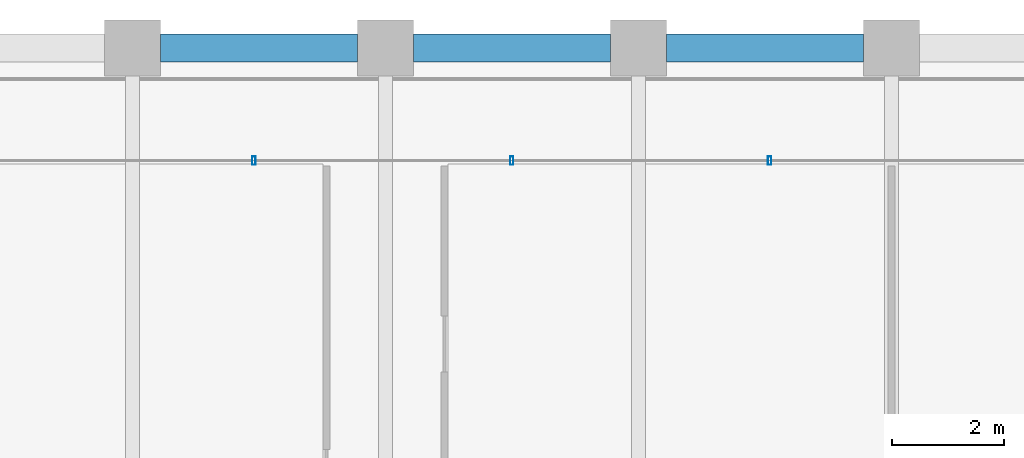
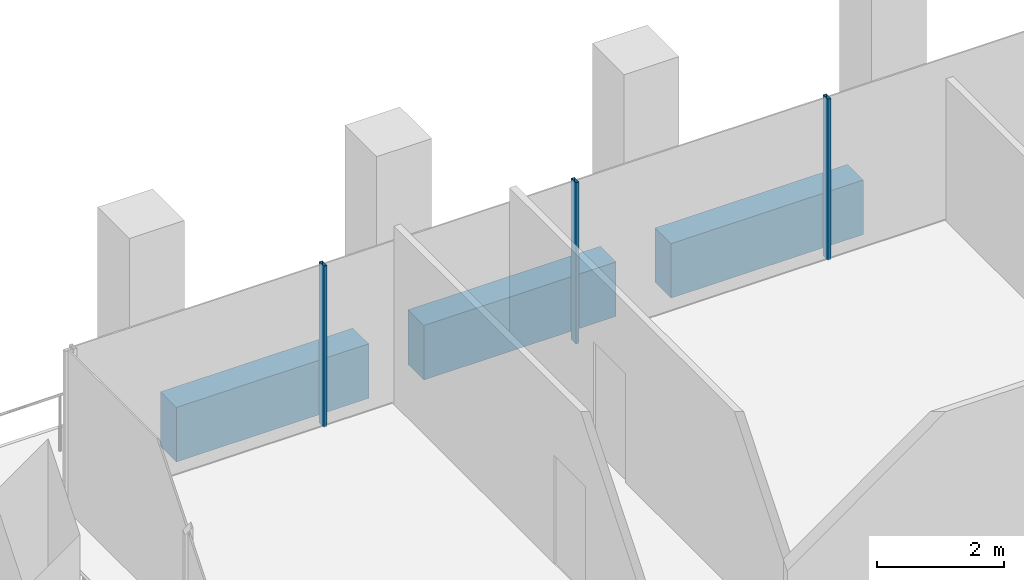
# One storey, part 23 of 46: 3 beams, 3 members, 1 element without a shape of its own.
"""IFC4 building model written with IfcOpenShell, lengths in metres."""

from ifc_helpers import new_model, si_unit, direction, frame, origin, origin_2d, place, context, subcontext, project, spatial, rectangle, hollow_rectangle, extrude, material, material_profile, profile_set, type_object, element, aggregate, save


model = new_model("IFC4")

# Units and contexts
model_context = context("Model", 3, precision=1e-05, world=origin(), true_north=direction((0.0, 1.0)))
body_context = subcontext(model_context, "Body", "Model", "MODEL_VIEW")
ifc_project = project(units=[si_unit("LENGTHUNIT", "METRE"), si_unit("AREAUNIT", "SQUARE_METRE"), si_unit("VOLUMEUNIT", "CUBIC_METRE"), si_unit("PLANEANGLEUNIT", "RADIAN"), si_unit("MASSUNIT", "GRAM", prefix="KILO")], contexts=[model_context])

# Site, building, storey
site_placement = place(None, origin())
site = spatial("IfcSite", under=ifc_project, at=site_placement, CompositionType="ELEMENT")
building_placement = place(site_placement, origin())
building = spatial("IfcBuilding", under=site, at=building_placement, Name="Altepetl Exchange Towers", CompositionType="ELEMENT")
storey_placement = place(building_placement, frame((0.0, 0.0, 102.800048828125)))
storey = spatial("IfcBuildingStorey", under=building, at=storey_placement, Name="L25", CompositionType="ELEMENT", Elevation=102.800048828125)

# Curtain wall, members
ifc_material_1 = material(Name="Aluminium 6063-T6 glazing", Category="aluminium")
curtain_wall_type = type_object("IfcCurtainWallType", Name="Loggia glazing system", PredefinedType="NOTDEFINED", material=ifc_material_1)
curtain_wall_placement = place(storey_placement, origin())
curtain_wall = element("IfcCurtainWall", 1, at=curtain_wall_placement, inside=storey, type_object=curtain_wall_type, Name="CW1 run", PredefinedType="NOTDEFINED")
ifc_material_2 = material(Name="Aluminium 6063-T6", Category="aluminium")
ifc_material_profile_1 = material_profile(ifc_material_2, hollow_rectangle(XDim=0.06005859375, YDim=0.14990234375, WallThickness=0.0029296875, at=origin_2d()), Name="Mullion 60x150 aluminium")
ifc_profile_set_1 = profile_set([ifc_material_profile_1], Name="Aluminium 6063-T6")
member_type = type_object("IfcMemberType", Name="Mullion 60x150 aluminium", PredefinedType="MULLION", material=ifc_profile_set_1)
member_1_placement = place(storey_placement, frame((56.330078125, 70.0, 0.0), z_axis=(0.0, 0.0, 1.0), x_axis=(-1.0, 0.0, 0.0)))
member_1 = element("IfcMember", 2, at=member_1_placement, type_object=member_type, Name="MU1 mullion", PredefinedType="MULLION", context=body_context, shape_type="SweptSolid", body=[
    extrude(hollow_rectangle(XDim=0.06005859375, YDim=0.14990234375, WallThickness=0.0029296875, at=origin_2d()), origin(), (0.0, 0.0, 1.0), 3.099853515625),
])
member_2_placement = place(storey_placement, frame((51.7451171875, 70.0, 0.0), z_axis=(0.0, 0.0, 1.0), x_axis=(-1.0, 0.0, 0.0)))
member_2 = element("IfcMember", 3, at=member_2_placement, type_object=member_type, Name="MU1 mullion", PredefinedType="MULLION", context=body_context, shape_type="SweptSolid", body=[
    extrude(hollow_rectangle(XDim=0.06005859375, YDim=0.14990234375, WallThickness=0.0029296875, at=origin_2d()), origin(), (0.0, 0.0, 1.0), 3.099853515625),
])
member_3_placement = place(storey_placement, frame((47.159912109375, 70.0, 0.0), z_axis=(0.0, 0.0, 1.0), x_axis=(-1.0, 0.0, 0.0)))
member_3 = element("IfcMember", 4, at=member_3_placement, type_object=member_type, Name="MU1 mullion", PredefinedType="MULLION", context=body_context, shape_type="SweptSolid", body=[
    extrude(hollow_rectangle(XDim=0.06005859375, YDim=0.14990234375, WallThickness=0.0029296875, at=origin_2d()), origin(), (0.0, 0.0, 1.0), 3.099853515625),
])
aggregate(curtain_wall, [member_1, member_2, member_3])

# Beams
ifc_material_3 = material(Name="Concrete C50/60 precast with cantera rosa facing", Category="concrete")
ifc_material_profile_2 = material_profile(ifc_material_3, rectangle(XDim=0.5, YDim=1.050048828125, at=origin_2d()), Name="500 x 1050")
ifc_profile_set_2 = profile_set([ifc_material_profile_2], Name="Concrete C50/60 precast with cantera rosa facing")
beam_type = type_object("IfcBeamType", Name="Spandrel beam 500x1050 cantera rosa", PredefinedType="SPANDREL", material=ifc_profile_set_2)
for number, where, z_axis, x_axis, name in (
    (5, (58.0, 72.0, -0.675048828125), (-1.0, 0.0, 0.0), (0.0, -1.0, 0.0), "sp:A:L25:026"),
    (6, (53.5, 72.0, -0.675048828125), (-1.0, 0.0, 0.0), (0.0, -1.0, 0.0), "sp:A:L25:027"),
    (7, (49.0, 72.0, -0.675048828125), (-1.0, 0.0, 0.0), (0.0, -1.0, 0.0), "sp:A:L25:028"),
):
    element("IfcBeam", number, at=place(storey_placement, frame(where, z_axis=z_axis, x_axis=x_axis)), inside=storey, type_object=beam_type, Name=name, PredefinedType="SPANDREL", context=body_context, shape_type="SweptSolid", body=[
        extrude(rectangle(XDim=0.5, YDim=1.050048828125, at=origin_2d()), origin(), (0.0, 0.0, 1.0), 3.5),
    ])

save(model, "model.ifc")
